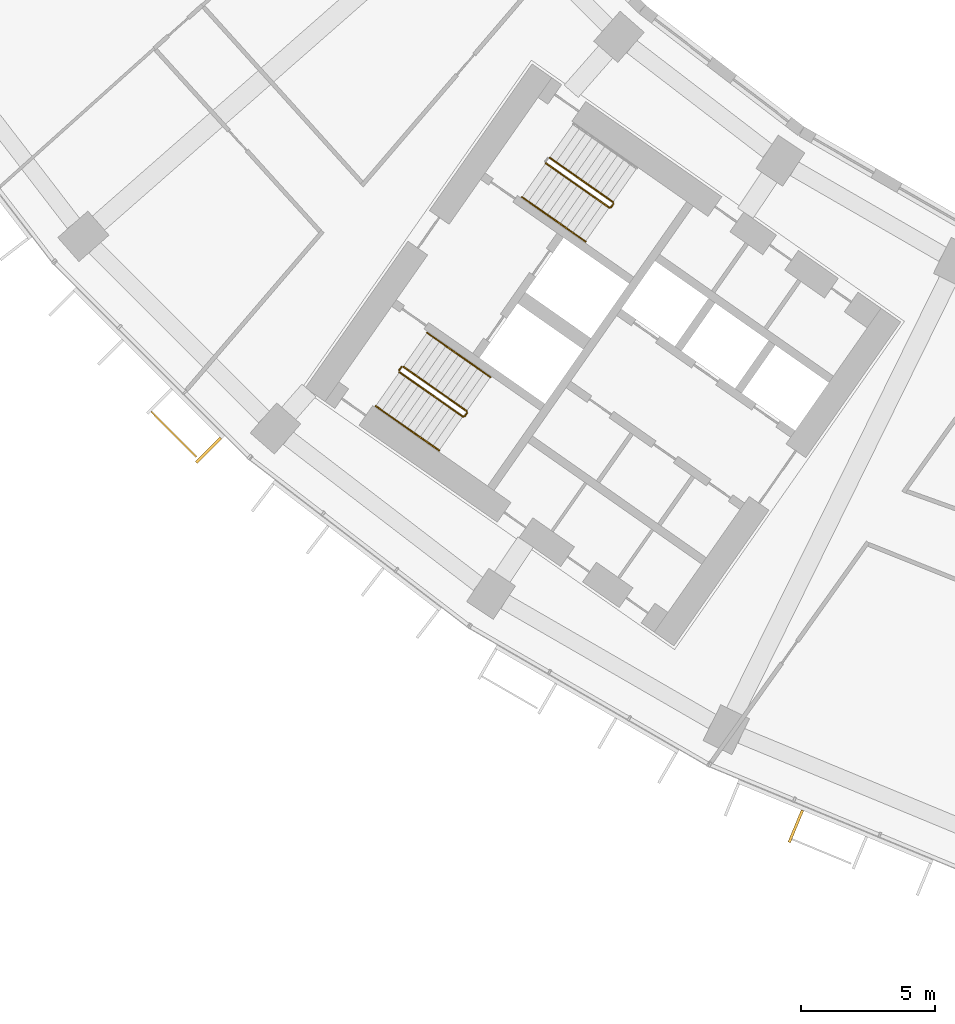
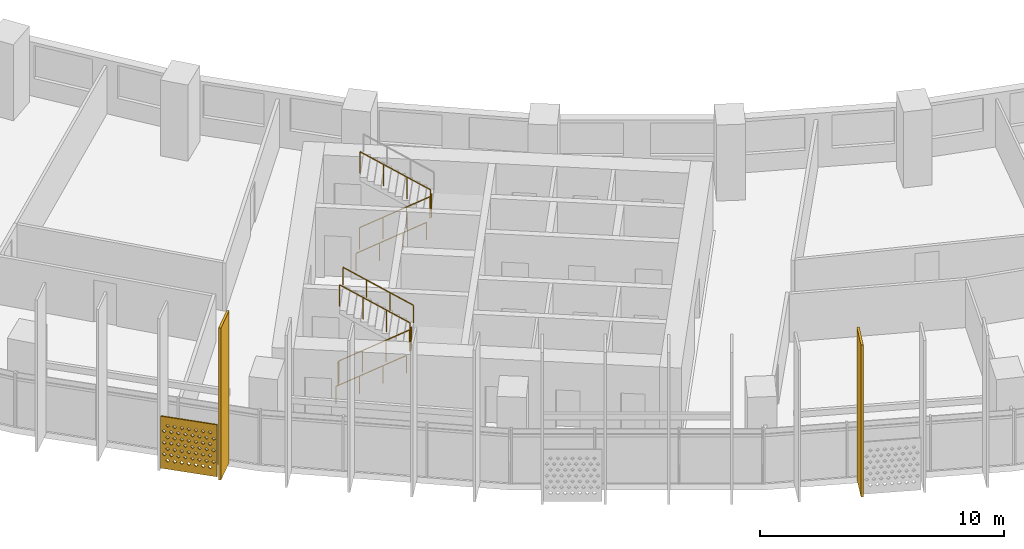
# One storey, part 25 of 30: 8 railings, 3 shading devices.
"""IFC4 building model written with IfcOpenShell, lengths in metres."""

from ifc_helpers import new_model, si_unit, direction, frame, origin, origin_2d, place, context, subcontext, project, spatial, polyline, rectangle, circle, outline, extrude, material, material_profile, profile_set, type_object, element, save


model = new_model("IFC4")

# Units and contexts
model_context = context("Model", 3, precision=1e-05, world=origin(), true_north=direction((0.0, 1.0)))
body_context = subcontext(model_context, "Body", "Model", "MODEL_VIEW")
ifc_project = project(units=[si_unit("LENGTHUNIT", "METRE"), si_unit("AREAUNIT", "SQUARE_METRE"), si_unit("VOLUMEUNIT", "CUBIC_METRE"), si_unit("PLANEANGLEUNIT", "RADIAN"), si_unit("MASSUNIT", "GRAM", prefix="KILO")], contexts=[model_context])

# Site, building, storey
site_placement = place(None, origin())
site = spatial("IfcSite", under=ifc_project, at=site_placement, CompositionType="ELEMENT")
building_placement = place(site_placement, origin())
building = spatial("IfcBuilding", under=site, at=building_placement, Name="Qamariyya Broadcast Tower", CompositionType="ELEMENT")
storey_placement = place(building_placement, frame((0.0, 0.0, 125.300048828125)))
storey = spatial("IfcBuildingStorey", under=building, at=storey_placement, Name="L28", CompositionType="ELEMENT", Elevation=125.300048828125)

# Shading device
ifc_material_1 = material(Name="Perforated glazed terracotta", Category="masonry")
ifc_material_profile_1 = material_profile(ifc_material_1, outline(polyline([(-1.199951171875, -1.300048828125), (1.199951171875, -1.300048828125), (1.199951171875, 1.300048828125), (-1.199951171875, 1.300048828125), (-1.199951171875, -1.300048828125)]), holes=[polyline([(-0.81494140625, -0.86669921875), (-0.89990234375, -0.78173828125), (-0.985107421875, -0.86669921875), (-0.89990234375, -0.95166015625), (-0.81494140625, -0.86669921875)]), polyline([(-0.514892578125, -0.86669921875), (-0.60009765625, -0.78173828125), (-0.68505859375, -0.86669921875), (-0.60009765625, -0.95166015625), (-0.514892578125, -0.86669921875)]), polyline([(-0.215087890625, -0.86669921875), (-0.300048828125, -0.78173828125), (-0.385009765625, -0.86669921875), (-0.300048828125, -0.95166015625), (-0.215087890625, -0.86669921875)]), polyline([(0.0849609375, -0.86669921875), (0.0, -0.78173828125), (-0.0849609375, -0.86669921875), (0.0, -0.95166015625), (0.0849609375, -0.86669921875)]), polyline([(0.385009765625, -0.86669921875), (0.300048828125, -0.78173828125), (0.215087890625, -0.86669921875), (0.300048828125, -0.95166015625), (0.385009765625, -0.86669921875)]), polyline([(0.68505859375, -0.86669921875), (0.60009765625, -0.78173828125), (0.514892578125, -0.86669921875), (0.60009765625, -0.95166015625), (0.68505859375, -0.86669921875)]), polyline([(0.985107421875, -0.86669921875), (0.89990234375, -0.78173828125), (0.81494140625, -0.86669921875), (0.89990234375, -0.95166015625), (0.985107421875, -0.86669921875)]), polyline([(-0.965087890625, -0.577880859375), (-1.050048828125, -0.49267578125), (-1.135009765625, -0.577880859375), (-1.050048828125, -0.662841796875), (-0.965087890625, -0.577880859375)]), polyline([(-0.6650390625, -0.577880859375), (-0.75, -0.49267578125), (-0.8349609375, -0.577880859375), (-0.75, -0.662841796875), (-0.6650390625, -0.577880859375)]), polyline([(-0.364990234375, -0.577880859375), (-0.449951171875, -0.49267578125), (-0.534912109375, -0.577880859375), (-0.449951171875, -0.662841796875), (-0.364990234375, -0.577880859375)]), polyline([(-0.06494140625, -0.577880859375), (-0.14990234375, -0.49267578125), (-0.235107421875, -0.577880859375), (-0.14990234375, -0.662841796875), (-0.06494140625, -0.577880859375)]), polyline([(0.235107421875, -0.577880859375), (0.14990234375, -0.49267578125), (0.06494140625, -0.577880859375), (0.14990234375, -0.662841796875), (0.235107421875, -0.577880859375)]), polyline([(0.534912109375, -0.577880859375), (0.449951171875, -0.49267578125), (0.364990234375, -0.577880859375), (0.449951171875, -0.662841796875), (0.534912109375, -0.577880859375)]), polyline([(0.8349609375, -0.577880859375), (0.75, -0.49267578125), (0.6650390625, -0.577880859375), (0.75, -0.662841796875), (0.8349609375, -0.577880859375)]), polyline([(1.135009765625, -0.577880859375), (1.050048828125, -0.49267578125), (0.965087890625, -0.577880859375), (1.050048828125, -0.662841796875), (1.135009765625, -0.577880859375)]), polyline([(-0.81494140625, -0.288818359375), (-0.89990234375, -0.203857421875), (-0.985107421875, -0.288818359375), (-0.89990234375, -0.373779296875), (-0.81494140625, -0.288818359375)]), polyline([(-0.514892578125, -0.288818359375), (-0.60009765625, -0.203857421875), (-0.68505859375, -0.288818359375), (-0.60009765625, -0.373779296875), (-0.514892578125, -0.288818359375)]), polyline([(-0.215087890625, -0.288818359375), (-0.300048828125, -0.203857421875), (-0.385009765625, -0.288818359375), (-0.300048828125, -0.373779296875), (-0.215087890625, -0.288818359375)]), polyline([(0.0849609375, -0.288818359375), (0.0, -0.203857421875), (-0.0849609375, -0.288818359375), (0.0, -0.373779296875), (0.0849609375, -0.288818359375)]), polyline([(0.385009765625, -0.288818359375), (0.300048828125, -0.203857421875), (0.215087890625, -0.288818359375), (0.300048828125, -0.373779296875), (0.385009765625, -0.288818359375)]), polyline([(0.68505859375, -0.288818359375), (0.60009765625, -0.203857421875), (0.514892578125, -0.288818359375), (0.60009765625, -0.373779296875), (0.68505859375, -0.288818359375)]), polyline([(0.985107421875, -0.288818359375), (0.89990234375, -0.203857421875), (0.81494140625, -0.288818359375), (0.89990234375, -0.373779296875), (0.985107421875, -0.288818359375)]), polyline([(-0.965087890625, 0.0), (-1.050048828125, 0.0849609375), (-1.135009765625, 0.0), (-1.050048828125, -0.0849609375), (-0.965087890625, 0.0)]), polyline([(-0.6650390625, 0.0), (-0.75, 0.0849609375), (-0.8349609375, 0.0), (-0.75, -0.0849609375), (-0.6650390625, 0.0)]), polyline([(-0.364990234375, 0.0), (-0.449951171875, 0.0849609375), (-0.534912109375, 0.0), (-0.449951171875, -0.0849609375), (-0.364990234375, 0.0)]), polyline([(-0.06494140625, 0.0), (-0.14990234375, 0.0849609375), (-0.235107421875, 0.0), (-0.14990234375, -0.0849609375), (-0.06494140625, 0.0)]), polyline([(0.235107421875, 0.0), (0.14990234375, 0.0849609375), (0.06494140625, 0.0), (0.14990234375, -0.0849609375), (0.235107421875, 0.0)]), polyline([(0.534912109375, 0.0), (0.449951171875, 0.0849609375), (0.364990234375, 0.0), (0.449951171875, -0.0849609375), (0.534912109375, 0.0)]), polyline([(0.8349609375, 0.0), (0.75, 0.0849609375), (0.6650390625, 0.0), (0.75, -0.0849609375), (0.8349609375, 0.0)]), polyline([(1.135009765625, 0.0), (1.050048828125, 0.0849609375), (0.965087890625, 0.0), (1.050048828125, -0.0849609375), (1.135009765625, 0.0)]), polyline([(-0.81494140625, 0.288818359375), (-0.89990234375, 0.373779296875), (-0.985107421875, 0.288818359375), (-0.89990234375, 0.203857421875), (-0.81494140625, 0.288818359375)]), polyline([(-0.514892578125, 0.288818359375), (-0.60009765625, 0.373779296875), (-0.68505859375, 0.288818359375), (-0.60009765625, 0.203857421875), (-0.514892578125, 0.288818359375)]), polyline([(-0.215087890625, 0.288818359375), (-0.300048828125, 0.373779296875), (-0.385009765625, 0.288818359375), (-0.300048828125, 0.203857421875), (-0.215087890625, 0.288818359375)]), polyline([(0.0849609375, 0.288818359375), (0.0, 0.373779296875), (-0.0849609375, 0.288818359375), (0.0, 0.203857421875), (0.0849609375, 0.288818359375)]), polyline([(0.385009765625, 0.288818359375), (0.300048828125, 0.373779296875), (0.215087890625, 0.288818359375), (0.300048828125, 0.203857421875), (0.385009765625, 0.288818359375)]), polyline([(0.68505859375, 0.288818359375), (0.60009765625, 0.373779296875), (0.514892578125, 0.288818359375), (0.60009765625, 0.203857421875), (0.68505859375, 0.288818359375)]), polyline([(0.985107421875, 0.288818359375), (0.89990234375, 0.373779296875), (0.81494140625, 0.288818359375), (0.89990234375, 0.203857421875), (0.985107421875, 0.288818359375)]), polyline([(-0.965087890625, 0.577880859375), (-1.050048828125, 0.662841796875), (-1.135009765625, 0.577880859375), (-1.050048828125, 0.49267578125), (-0.965087890625, 0.577880859375)]), polyline([(-0.6650390625, 0.577880859375), (-0.75, 0.662841796875), (-0.8349609375, 0.577880859375), (-0.75, 0.49267578125), (-0.6650390625, 0.577880859375)]), polyline([(-0.364990234375, 0.577880859375), (-0.449951171875, 0.662841796875), (-0.534912109375, 0.577880859375), (-0.449951171875, 0.49267578125), (-0.364990234375, 0.577880859375)]), polyline([(-0.06494140625, 0.577880859375), (-0.14990234375, 0.662841796875), (-0.235107421875, 0.577880859375), (-0.14990234375, 0.49267578125), (-0.06494140625, 0.577880859375)]), polyline([(0.235107421875, 0.577880859375), (0.14990234375, 0.662841796875), (0.06494140625, 0.577880859375), (0.14990234375, 0.49267578125), (0.235107421875, 0.577880859375)]), polyline([(0.534912109375, 0.577880859375), (0.449951171875, 0.662841796875), (0.364990234375, 0.577880859375), (0.449951171875, 0.49267578125), (0.534912109375, 0.577880859375)]), polyline([(0.8349609375, 0.577880859375), (0.75, 0.662841796875), (0.6650390625, 0.577880859375), (0.75, 0.49267578125), (0.8349609375, 0.577880859375)]), polyline([(1.135009765625, 0.577880859375), (1.050048828125, 0.662841796875), (0.965087890625, 0.577880859375), (1.050048828125, 0.49267578125), (1.135009765625, 0.577880859375)]), polyline([(-0.81494140625, 0.86669921875), (-0.89990234375, 0.95166015625), (-0.985107421875, 0.86669921875), (-0.89990234375, 0.78173828125), (-0.81494140625, 0.86669921875)]), polyline([(-0.514892578125, 0.86669921875), (-0.60009765625, 0.95166015625), (-0.68505859375, 0.86669921875), (-0.60009765625, 0.78173828125), (-0.514892578125, 0.86669921875)]), polyline([(-0.215087890625, 0.86669921875), (-0.300048828125, 0.95166015625), (-0.385009765625, 0.86669921875), (-0.300048828125, 0.78173828125), (-0.215087890625, 0.86669921875)]), polyline([(0.0849609375, 0.86669921875), (0.0, 0.95166015625), (-0.0849609375, 0.86669921875), (0.0, 0.78173828125), (0.0849609375, 0.86669921875)]), polyline([(0.385009765625, 0.86669921875), (0.300048828125, 0.95166015625), (0.215087890625, 0.86669921875), (0.300048828125, 0.78173828125), (0.385009765625, 0.86669921875)]), polyline([(0.68505859375, 0.86669921875), (0.60009765625, 0.95166015625), (0.514892578125, 0.86669921875), (0.60009765625, 0.78173828125), (0.68505859375, 0.86669921875)]), polyline([(0.985107421875, 0.86669921875), (0.89990234375, 0.95166015625), (0.81494140625, 0.86669921875), (0.89990234375, 0.78173828125), (0.985107421875, 0.86669921875)])]))
ifc_profile_set_1 = profile_set([ifc_material_profile_1], Name="Perforated glazed terracotta")
shading_device_type_1 = type_object("IfcShadingDeviceType", Name="Perforated terracotta screen 2400 x 2600", PredefinedType="USERDEFINED", material=ifc_profile_set_1)
shading_device_placement = place(storey_placement, frame((-55.05078125, -58.65234375, 1.349853515625), z_axis=(-0.709141608176, -0.705066081692, 0.0), x_axis=(0.705066081692, -0.709141608176, 0.0)))
element("IfcShadingDevice", 1, at=shading_device_placement, inside=storey, type_object=shading_device_type_1, Name="e-scr-L28-03-2", ObjectType="SCREEN", PredefinedType="USERDEFINED", context=body_context, shape_type="SweptSolid", body=[
    extrude(outline(polyline([(-1.199951171875, -1.300048828125), (1.199951171875, -1.300048828125), (1.199951171875, 1.300048828125), (-1.199951171875, 1.300048828125), (-1.199951171875, -1.300048828125)]), holes=[polyline([(-0.81494140625, -0.86669921875), (-0.89990234375, -0.78173828125), (-0.985107421875, -0.86669921875), (-0.89990234375, -0.95166015625), (-0.81494140625, -0.86669921875)]), polyline([(-0.514892578125, -0.86669921875), (-0.60009765625, -0.78173828125), (-0.68505859375, -0.86669921875), (-0.60009765625, -0.95166015625), (-0.514892578125, -0.86669921875)]), polyline([(-0.215087890625, -0.86669921875), (-0.300048828125, -0.78173828125), (-0.385009765625, -0.86669921875), (-0.300048828125, -0.95166015625), (-0.215087890625, -0.86669921875)]), polyline([(0.0849609375, -0.86669921875), (0.0, -0.78173828125), (-0.0849609375, -0.86669921875), (0.0, -0.95166015625), (0.0849609375, -0.86669921875)]), polyline([(0.385009765625, -0.86669921875), (0.300048828125, -0.78173828125), (0.215087890625, -0.86669921875), (0.300048828125, -0.95166015625), (0.385009765625, -0.86669921875)]), polyline([(0.68505859375, -0.86669921875), (0.60009765625, -0.78173828125), (0.514892578125, -0.86669921875), (0.60009765625, -0.95166015625), (0.68505859375, -0.86669921875)]), polyline([(0.985107421875, -0.86669921875), (0.89990234375, -0.78173828125), (0.81494140625, -0.86669921875), (0.89990234375, -0.95166015625), (0.985107421875, -0.86669921875)]), polyline([(-0.965087890625, -0.577880859375), (-1.050048828125, -0.49267578125), (-1.135009765625, -0.577880859375), (-1.050048828125, -0.662841796875), (-0.965087890625, -0.577880859375)]), polyline([(-0.6650390625, -0.577880859375), (-0.75, -0.49267578125), (-0.8349609375, -0.577880859375), (-0.75, -0.662841796875), (-0.6650390625, -0.577880859375)]), polyline([(-0.364990234375, -0.577880859375), (-0.449951171875, -0.49267578125), (-0.534912109375, -0.577880859375), (-0.449951171875, -0.662841796875), (-0.364990234375, -0.577880859375)]), polyline([(-0.06494140625, -0.577880859375), (-0.14990234375, -0.49267578125), (-0.235107421875, -0.577880859375), (-0.14990234375, -0.662841796875), (-0.06494140625, -0.577880859375)]), polyline([(0.235107421875, -0.577880859375), (0.14990234375, -0.49267578125), (0.06494140625, -0.577880859375), (0.14990234375, -0.662841796875), (0.235107421875, -0.577880859375)]), polyline([(0.534912109375, -0.577880859375), (0.449951171875, -0.49267578125), (0.364990234375, -0.577880859375), (0.449951171875, -0.662841796875), (0.534912109375, -0.577880859375)]), polyline([(0.8349609375, -0.577880859375), (0.75, -0.49267578125), (0.6650390625, -0.577880859375), (0.75, -0.662841796875), (0.8349609375, -0.577880859375)]), polyline([(1.135009765625, -0.577880859375), (1.050048828125, -0.49267578125), (0.965087890625, -0.577880859375), (1.050048828125, -0.662841796875), (1.135009765625, -0.577880859375)]), polyline([(-0.81494140625, -0.288818359375), (-0.89990234375, -0.203857421875), (-0.985107421875, -0.288818359375), (-0.89990234375, -0.373779296875), (-0.81494140625, -0.288818359375)]), polyline([(-0.514892578125, -0.288818359375), (-0.60009765625, -0.203857421875), (-0.68505859375, -0.288818359375), (-0.60009765625, -0.373779296875), (-0.514892578125, -0.288818359375)]), polyline([(-0.215087890625, -0.288818359375), (-0.300048828125, -0.203857421875), (-0.385009765625, -0.288818359375), (-0.300048828125, -0.373779296875), (-0.215087890625, -0.288818359375)]), polyline([(0.0849609375, -0.288818359375), (0.0, -0.203857421875), (-0.0849609375, -0.288818359375), (0.0, -0.373779296875), (0.0849609375, -0.288818359375)]), polyline([(0.385009765625, -0.288818359375), (0.300048828125, -0.203857421875), (0.215087890625, -0.288818359375), (0.300048828125, -0.373779296875), (0.385009765625, -0.288818359375)]), polyline([(0.68505859375, -0.288818359375), (0.60009765625, -0.203857421875), (0.514892578125, -0.288818359375), (0.60009765625, -0.373779296875), (0.68505859375, -0.288818359375)]), polyline([(0.985107421875, -0.288818359375), (0.89990234375, -0.203857421875), (0.81494140625, -0.288818359375), (0.89990234375, -0.373779296875), (0.985107421875, -0.288818359375)]), polyline([(-0.965087890625, 0.0), (-1.050048828125, 0.0849609375), (-1.135009765625, 0.0), (-1.050048828125, -0.0849609375), (-0.965087890625, 0.0)]), polyline([(-0.6650390625, 0.0), (-0.75, 0.0849609375), (-0.8349609375, 0.0), (-0.75, -0.0849609375), (-0.6650390625, 0.0)]), polyline([(-0.364990234375, 0.0), (-0.449951171875, 0.0849609375), (-0.534912109375, 0.0), (-0.449951171875, -0.0849609375), (-0.364990234375, 0.0)]), polyline([(-0.06494140625, 0.0), (-0.14990234375, 0.0849609375), (-0.235107421875, 0.0), (-0.14990234375, -0.0849609375), (-0.06494140625, 0.0)]), polyline([(0.235107421875, 0.0), (0.14990234375, 0.0849609375), (0.06494140625, 0.0), (0.14990234375, -0.0849609375), (0.235107421875, 0.0)]), polyline([(0.534912109375, 0.0), (0.449951171875, 0.0849609375), (0.364990234375, 0.0), (0.449951171875, -0.0849609375), (0.534912109375, 0.0)]), polyline([(0.8349609375, 0.0), (0.75, 0.0849609375), (0.6650390625, 0.0), (0.75, -0.0849609375), (0.8349609375, 0.0)]), polyline([(1.135009765625, 0.0), (1.050048828125, 0.0849609375), (0.965087890625, 0.0), (1.050048828125, -0.0849609375), (1.135009765625, 0.0)]), polyline([(-0.81494140625, 0.288818359375), (-0.89990234375, 0.373779296875), (-0.985107421875, 0.288818359375), (-0.89990234375, 0.203857421875), (-0.81494140625, 0.288818359375)]), polyline([(-0.514892578125, 0.288818359375), (-0.60009765625, 0.373779296875), (-0.68505859375, 0.288818359375), (-0.60009765625, 0.203857421875), (-0.514892578125, 0.288818359375)]), polyline([(-0.215087890625, 0.288818359375), (-0.300048828125, 0.373779296875), (-0.385009765625, 0.288818359375), (-0.300048828125, 0.203857421875), (-0.215087890625, 0.288818359375)]), polyline([(0.0849609375, 0.288818359375), (0.0, 0.373779296875), (-0.0849609375, 0.288818359375), (0.0, 0.203857421875), (0.0849609375, 0.288818359375)]), polyline([(0.385009765625, 0.288818359375), (0.300048828125, 0.373779296875), (0.215087890625, 0.288818359375), (0.300048828125, 0.203857421875), (0.385009765625, 0.288818359375)]), polyline([(0.68505859375, 0.288818359375), (0.60009765625, 0.373779296875), (0.514892578125, 0.288818359375), (0.60009765625, 0.203857421875), (0.68505859375, 0.288818359375)]), polyline([(0.985107421875, 0.288818359375), (0.89990234375, 0.373779296875), (0.81494140625, 0.288818359375), (0.89990234375, 0.203857421875), (0.985107421875, 0.288818359375)]), polyline([(-0.965087890625, 0.577880859375), (-1.050048828125, 0.662841796875), (-1.135009765625, 0.577880859375), (-1.050048828125, 0.49267578125), (-0.965087890625, 0.577880859375)]), polyline([(-0.6650390625, 0.577880859375), (-0.75, 0.662841796875), (-0.8349609375, 0.577880859375), (-0.75, 0.49267578125), (-0.6650390625, 0.577880859375)]), polyline([(-0.364990234375, 0.577880859375), (-0.449951171875, 0.662841796875), (-0.534912109375, 0.577880859375), (-0.449951171875, 0.49267578125), (-0.364990234375, 0.577880859375)]), polyline([(-0.06494140625, 0.577880859375), (-0.14990234375, 0.662841796875), (-0.235107421875, 0.577880859375), (-0.14990234375, 0.49267578125), (-0.06494140625, 0.577880859375)]), polyline([(0.235107421875, 0.577880859375), (0.14990234375, 0.662841796875), (0.06494140625, 0.577880859375), (0.14990234375, 0.49267578125), (0.235107421875, 0.577880859375)]), polyline([(0.534912109375, 0.577880859375), (0.449951171875, 0.662841796875), (0.364990234375, 0.577880859375), (0.449951171875, 0.49267578125), (0.534912109375, 0.577880859375)]), polyline([(0.8349609375, 0.577880859375), (0.75, 0.662841796875), (0.6650390625, 0.577880859375), (0.75, 0.49267578125), (0.8349609375, 0.577880859375)]), polyline([(1.135009765625, 0.577880859375), (1.050048828125, 0.662841796875), (0.965087890625, 0.577880859375), (1.050048828125, 0.49267578125), (1.135009765625, 0.577880859375)]), polyline([(-0.81494140625, 0.86669921875), (-0.89990234375, 0.95166015625), (-0.985107421875, 0.86669921875), (-0.89990234375, 0.78173828125), (-0.81494140625, 0.86669921875)]), polyline([(-0.514892578125, 0.86669921875), (-0.60009765625, 0.95166015625), (-0.68505859375, 0.86669921875), (-0.60009765625, 0.78173828125), (-0.514892578125, 0.86669921875)]), polyline([(-0.215087890625, 0.86669921875), (-0.300048828125, 0.95166015625), (-0.385009765625, 0.86669921875), (-0.300048828125, 0.78173828125), (-0.215087890625, 0.86669921875)]), polyline([(0.0849609375, 0.86669921875), (0.0, 0.95166015625), (-0.0849609375, 0.86669921875), (0.0, 0.78173828125), (0.0849609375, 0.86669921875)]), polyline([(0.385009765625, 0.86669921875), (0.300048828125, 0.95166015625), (0.215087890625, 0.86669921875), (0.300048828125, 0.78173828125), (0.385009765625, 0.86669921875)]), polyline([(0.68505859375, 0.86669921875), (0.60009765625, 0.95166015625), (0.514892578125, 0.86669921875), (0.60009765625, 0.78173828125), (0.68505859375, 0.86669921875)]), polyline([(0.985107421875, 0.86669921875), (0.89990234375, 0.95166015625), (0.81494140625, 0.86669921875), (0.89990234375, 0.78173828125), (0.985107421875, 0.86669921875)])]), origin(), (0.0, 0.0, 1.0), 0.059814453125),
])

# Railings
ifc_material_2 = material(Name="Painted steel", Category="steel")
railing_type_1 = type_object("IfcRailingType", Name="Stair guard", PredefinedType="GUARDRAIL", material=ifc_material_2)
railing_1_placement = place(storey_placement, frame((-41.146728515625, -48.52490234375, 0.172607421875)))
element("IfcRailing", 2, at=railing_1_placement, inside=storey, type_object=railing_type_1, Name="L28 ST-W2 stair guard 1", PredefinedType="GUARDRAIL", context=body_context, shape_type="SweptSolid", body=[
    extrude(circle(Radius=0.02392578125, at=origin_2d()), frame((0.0, 0.0, 1.076171875), z_axis=(0.703770094002, -0.492783725636, 0.511734163933), x_axis=(0.573575343427, 0.819152809562, 0.0)), (0.0, 0.0, 1.0), 3.37548828125),
    extrude(circle(Radius=0.02392578125, at=origin_2d()), frame((2.37548828125, -1.663330078125, 2.80322265625), z_axis=(0.985059694769, 0.172213233351, 0.0), x_axis=(-0.172213233351, 0.985059694769, 0.0)), (0.0, 0.0, 1.0), 0.07080078125),
    extrude(circle(Radius=0.02392578125, at=origin_2d()), frame((2.4453125, -1.651123046875, 2.80322265625), z_axis=(0.572588637393, 0.819842821722, 0.0), x_axis=(-0.819842821722, 0.572588637393, 0.0)), (0.0, 0.0, 1.0), 0.150146484375),
    extrude(circle(Radius=0.02099609375, at=origin_2d()), origin(), (0.0, 0.0, 1.0), 1.052001953125),
    extrude(circle(Radius=0.02099609375, at=origin_2d()), frame((0.791748046875, -0.554443359375, 0.57568359375)), (0.0, 0.0, 1.0), 1.052001953125),
    extrude(circle(Radius=0.02099609375, at=origin_2d()), frame((1.583740234375, -1.10888671875, 1.151611328125)), (0.0, 0.0, 1.0), 1.052001953125),
    extrude(circle(Radius=0.02099609375, at=origin_2d()), frame((2.37548828125, -1.663330078125, 1.727294921875)), (0.0, 0.0, 1.0), 1.052001953125),
    extrude(circle(Radius=0.02099609375, at=origin_2d()), frame((2.4453125, -1.651123046875, 1.727294921875)), (0.0, 0.0, 1.0), 1.052001953125),
    extrude(circle(Radius=0.02099609375, at=origin_2d()), frame((2.53125, -1.528076171875, 1.727294921875)), (0.0, 0.0, 1.0), 1.052001953125),
])
railing_2_placement = place(storey_placement, frame((-38.627685546875, -49.9833984375, 2.07275390625)))
element("IfcRailing", 3, at=railing_2_placement, inside=storey, type_object=railing_type_1, Name="L28 ST-W2 stair guard 2", PredefinedType="GUARDRAIL", context=body_context, shape_type="SweptSolid", body=[
    extrude(circle(Radius=0.02392578125, at=origin_2d()), frame((0.0, 0.0, 1.076171875), z_axis=(-0.703770094002, 0.492783725636, 0.511734163933), x_axis=(-0.573575343427, -0.819152809562, 0.0)), (0.0, 0.0, 1.0), 3.37548828125),
    extrude(circle(Radius=0.02099609375, at=origin_2d()), origin(), (0.0, 0.0, 1.0), 1.052001953125),
    extrude(circle(Radius=0.02099609375, at=origin_2d()), frame((-0.791748046875, 0.554443359375, 0.57568359375)), (0.0, 0.0, 1.0), 1.052001953125),
    extrude(circle(Radius=0.02099609375, at=origin_2d()), frame((-1.583740234375, 1.10888671875, 1.151611328125)), (0.0, 0.0, 1.0), 1.052001953125),
    extrude(circle(Radius=0.02099609375, at=origin_2d()), frame((-2.37548828125, 1.663330078125, 1.727294921875)), (0.0, 0.0, 1.0), 1.052001953125),
])
railing_3_placement = place(storey_placement, frame((-46.624267578125, -56.34765625, 0.172607421875)))
element("IfcRailing", 4, at=railing_3_placement, inside=storey, type_object=railing_type_1, Name="L28 ST-W1 stair guard 1", PredefinedType="GUARDRAIL", context=body_context, shape_type="SweptSolid", body=[
    extrude(circle(Radius=0.02392578125, at=origin_2d()), frame((0.0, 0.0, 1.076171875), z_axis=(0.703745009021, -0.492838488332, 0.511715923826), x_axis=(0.573631830683, 0.819113253969, 0.0)), (0.0, 0.0, 1.0), 3.37548828125),
    extrude(circle(Radius=0.02392578125, at=origin_2d()), frame((2.37548828125, -1.66357421875, 2.80322265625), z_axis=(0.984363469884, 0.176149252506, 0.0), x_axis=(-0.176149252506, 0.984363469884, 0.0)), (0.0, 0.0, 1.0), 0.07080078125),
    extrude(circle(Radius=0.02392578125, at=origin_2d()), frame((2.445068359375, -1.651123046875, 2.80322265625), z_axis=(0.574444878118, 0.818543268254, 0.0), x_axis=(-0.818543268254, 0.574444878118, 0.0)), (0.0, 0.0, 1.0), 0.150146484375),
    extrude(circle(Radius=0.02099609375, at=origin_2d()), origin(), (0.0, 0.0, 1.0), 1.052001953125),
    extrude(circle(Radius=0.02099609375, at=origin_2d()), frame((0.791748046875, -0.554443359375, 0.57568359375)), (0.0, 0.0, 1.0), 1.052001953125),
    extrude(circle(Radius=0.02099609375, at=origin_2d()), frame((1.583740234375, -1.109130859375, 1.151611328125)), (0.0, 0.0, 1.0), 1.052001953125),
    extrude(circle(Radius=0.02099609375, at=origin_2d()), frame((2.37548828125, -1.66357421875, 1.727294921875)), (0.0, 0.0, 1.0), 1.052001953125),
    extrude(circle(Radius=0.02099609375, at=origin_2d()), frame((2.445068359375, -1.651123046875, 1.727294921875)), (0.0, 0.0, 1.0), 1.052001953125),
    extrude(circle(Radius=0.02099609375, at=origin_2d()), frame((2.53125, -1.5283203125, 1.727294921875)), (0.0, 0.0, 1.0), 1.052001953125),
])
railing_4_placement = place(storey_placement, frame((-44.10546875, -57.806396484375, 2.07275390625)))
element("IfcRailing", 5, at=railing_4_placement, inside=storey, type_object=railing_type_1, Name="L28 ST-W1 stair guard 2", PredefinedType="GUARDRAIL", context=body_context, shape_type="SweptSolid", body=[
    extrude(circle(Radius=0.02392578125, at=origin_2d()), frame((0.0, 0.0, 1.076171875), z_axis=(-0.703770094002, 0.492783725636, 0.511734163933), x_axis=(-0.573575343427, -0.819152809562, 0.0)), (0.0, 0.0, 1.0), 3.37548828125),
    extrude(circle(Radius=0.02099609375, at=origin_2d()), origin(), (0.0, 0.0, 1.0), 1.052001953125),
    extrude(circle(Radius=0.02099609375, at=origin_2d()), frame((-0.791748046875, 0.554443359375, 0.57568359375)), (0.0, 0.0, 1.0), 1.052001953125),
    extrude(circle(Radius=0.02099609375, at=origin_2d()), frame((-1.583740234375, 1.10888671875, 1.151611328125)), (0.0, 0.0, 1.0), 1.052001953125),
    extrude(circle(Radius=0.02099609375, at=origin_2d()), frame((-2.37548828125, 1.663330078125, 1.727294921875)), (0.0, 0.0, 1.0), 1.052001953125),
])
railing_5_placement = place(storey_placement, frame((-46.63671875, -56.278076171875, 0.0)))
element("IfcRailing", 6, at=railing_5_placement, inside=storey, type_object=railing_type_1, Name="L28 ST-W1 stair guard 3", PredefinedType="GUARDRAIL", context=body_context, shape_type="SweptSolid", body=[
    extrude(circle(Radius=0.02392578125, at=origin_2d()), frame((0.0, 0.0, 1.076171875), z_axis=(0.574444878118, 0.818543268254, 0.0), x_axis=(-0.818543268254, 0.574444878118, 0.0)), (0.0, 0.0, 1.0), 0.150146484375),
    extrude(circle(Radius=0.02099609375, at=origin_2d()), origin(), (0.0, 0.0, 1.0), 1.052001953125),
    extrude(circle(Radius=0.02099609375, at=origin_2d()), frame((0.086181640625, 0.122802734375, 0.0)), (0.0, 0.0, 1.0), 1.052001953125),
])
ifc_material_3 = material(Name="Stainless steel", Category="steel")
railing_type_2 = type_object("IfcRailingType", Name="Stair handrail", PredefinedType="HANDRAIL", material=ifc_material_3)
railing_6_placement = place(storey_placement, frame((-42.03564453125, -49.79443359375, 0.172607421875)))
element("IfcRailing", 7, at=railing_6_placement, inside=storey, type_object=railing_type_2, Name="L28 ST-W2 stair handrail 1", PredefinedType="HANDRAIL", context=body_context, shape_type="SweptSolid", body=[
    extrude(circle(Radius=0.02392578125, at=origin_2d()), frame((0.0, 0.0, 0.8759765625), z_axis=(0.703745009021, -0.492838488332, 0.511715923826), x_axis=(0.573631830683, 0.819113253969, 0.0)), (0.0, 0.0, 1.0), 3.37548828125),
    extrude(circle(Radius=0.02099609375, at=origin_2d()), origin(), (0.0, 0.0, 1.0), 0.851806640625),
    extrude(circle(Radius=0.02099609375, at=origin_2d()), frame((0.791748046875, -0.554443359375, 0.57568359375)), (0.0, 0.0, 1.0), 0.851806640625),
    extrude(circle(Radius=0.02099609375, at=origin_2d()), frame((1.583740234375, -1.109130859375, 1.151611328125)), (0.0, 0.0, 1.0), 0.851806640625),
    extrude(circle(Radius=0.02099609375, at=origin_2d()), frame((2.37548828125, -1.66357421875, 1.727294921875)), (0.0, 0.0, 1.0), 0.851806640625),
])
railing_7_placement = place(storey_placement, frame((-47.513427734375, -57.617431640625, 0.172607421875)))
element("IfcRailing", 8, at=railing_7_placement, inside=storey, type_object=railing_type_2, Name="L28 ST-W1 stair handrail 1", PredefinedType="HANDRAIL", context=body_context, shape_type="SweptSolid", body=[
    extrude(circle(Radius=0.02392578125, at=origin_2d()), frame((0.0, 0.0, 0.8759765625), z_axis=(0.703770094002, -0.492783725636, 0.511734163933), x_axis=(0.573575343427, 0.819152809562, 0.0)), (0.0, 0.0, 1.0), 3.37548828125),
    extrude(circle(Radius=0.02099609375, at=origin_2d()), origin(), (0.0, 0.0, 1.0), 0.851806640625),
    extrude(circle(Radius=0.02099609375, at=origin_2d()), frame((0.791748046875, -0.554443359375, 0.57568359375)), (0.0, 0.0, 1.0), 0.851806640625),
    extrude(circle(Radius=0.02099609375, at=origin_2d()), frame((1.583740234375, -1.10888671875, 1.151611328125)), (0.0, 0.0, 1.0), 0.851806640625),
    extrude(circle(Radius=0.02099609375, at=origin_2d()), frame((2.37548828125, -1.663330078125, 1.727294921875)), (0.0, 0.0, 1.0), 0.851806640625),
])
railing_8_placement = place(storey_placement, frame((-43.21630859375, -56.53662109375, 2.07275390625)))
element("IfcRailing", 9, at=railing_8_placement, inside=storey, type_object=railing_type_2, Name="L28 ST-W1 stair handrail 2", PredefinedType="HANDRAIL", context=body_context, shape_type="SweptSolid", body=[
    extrude(circle(Radius=0.02392578125, at=origin_2d()), frame((0.0, 0.0, 0.8759765625), z_axis=(-0.703770094002, 0.492783725636, 0.511734163933), x_axis=(-0.573575343427, -0.819152809562, 0.0)), (0.0, 0.0, 1.0), 3.37548828125),
    extrude(circle(Radius=0.02099609375, at=origin_2d()), origin(), (0.0, 0.0, 1.0), 0.851806640625),
    extrude(circle(Radius=0.02099609375, at=origin_2d()), frame((-0.791748046875, 0.554443359375, 0.57568359375)), (0.0, 0.0, 1.0), 0.851806640625),
    extrude(circle(Radius=0.02099609375, at=origin_2d()), frame((-1.583740234375, 1.10888671875, 1.151611328125)), (0.0, 0.0, 1.0), 0.851806640625),
    extrude(circle(Radius=0.02099609375, at=origin_2d()), frame((-2.37548828125, 1.663330078125, 1.727294921875)), (0.0, 0.0, 1.0), 0.851806640625),
])

# Shading devices
ifc_material_4 = material(Name="Glazed terracotta", Category="masonry")
ifc_material_profile_2 = material_profile(ifc_material_4, rectangle(XDim=1.300048828125, YDim=0.10009765625, at=origin_2d()))
ifc_profile_set_2 = profile_set([ifc_material_profile_2], Name="Glazed terracotta")
shading_device_type_2 = type_object("IfcShadingDeviceType", Name="Terracotta fin 100 x 1300", PredefinedType="USERDEFINED", material=ifc_profile_set_2)
for number, where, z_axis, x_axis, name in (
    (10, (-53.7685546875, -59.269775390625, 0.0), (0.0, 0.0, 1.0), (-0.707106781187, -0.707106781187, 0.0), "e-fin-L28-03-3"),
    (11, (-31.785888671875, -73.349609375, 0.0), (0.0, 0.0, 1.0), (-0.382683432365, -0.923879532511, 0.0), "e-fin-L28-06-1"),
):
    element("IfcShadingDevice", number, at=place(storey_placement, frame(where, z_axis=z_axis, x_axis=x_axis)), inside=storey, type_object=shading_device_type_2, Name=name, ObjectType="FIN", PredefinedType="USERDEFINED", context=body_context, shape_type="SweptSolid", body=[
        extrude(rectangle(XDim=1.300048828125, YDim=0.10009765625, at=origin_2d()), origin(), (0.0, 0.0, 1.0), 7.599853515625),
    ])

save(model, "model.ifc")
